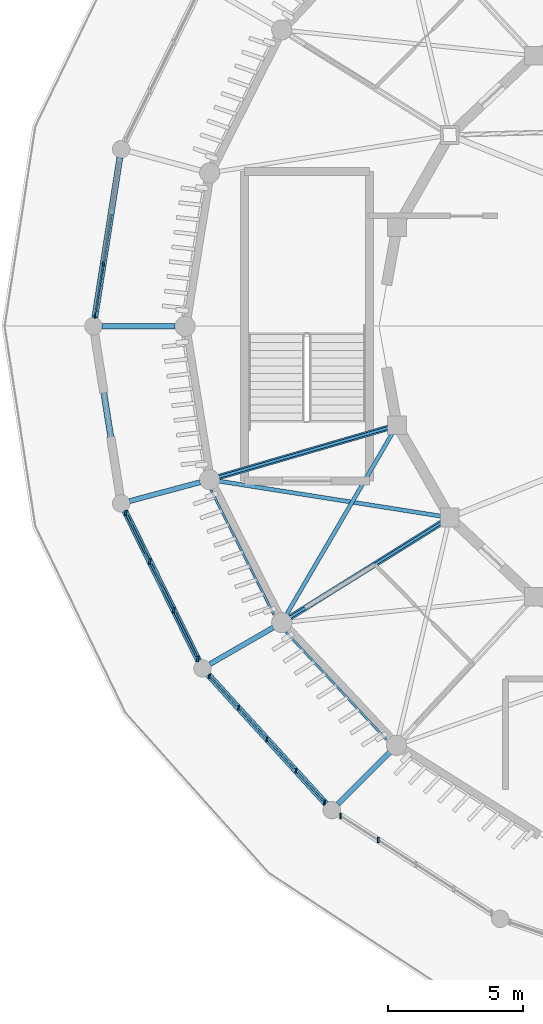
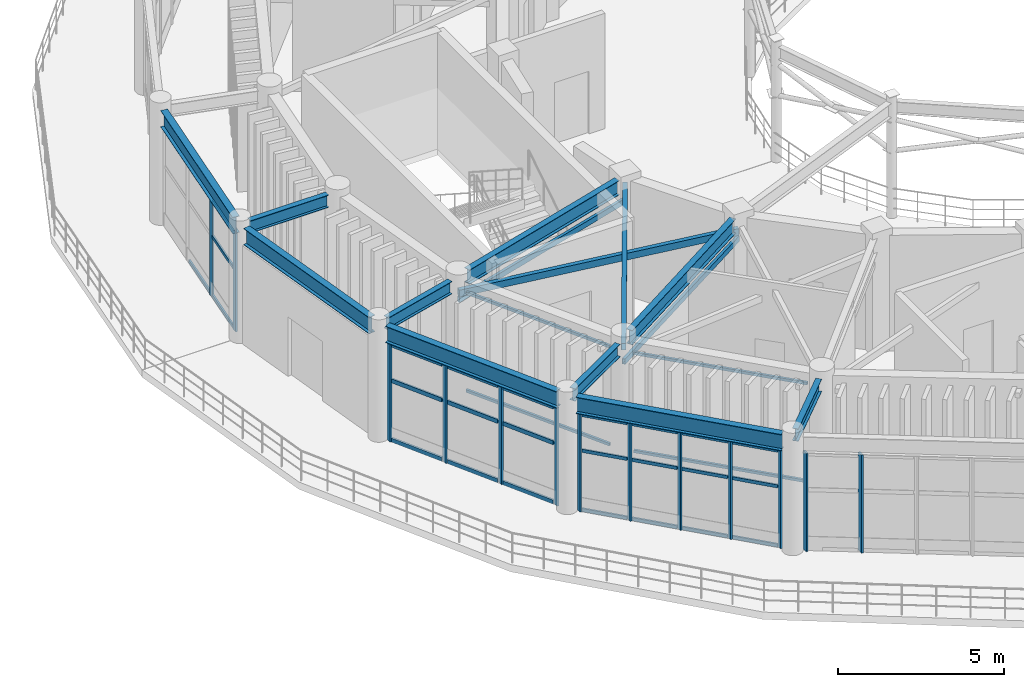
# One storey, part 6 of 45: 46 members, 10 beams, 4 elements without a shape of their own.
"""IFC4 building model written with IfcOpenShell, lengths in metres."""

from ifc_helpers import new_model, si_unit, direction, frame, origin, origin_2d, place, context, subcontext, project, spatial, rectangle, hollow_rectangle, i_section, extrude, material, material_profile, profile_set, type_object, element, aggregate, save


model = new_model("IFC4")

# Units and contexts
model_context = context("Model", 3, precision=1e-05, world=origin(), true_north=direction((0.0, 1.0)))
body_context = subcontext(model_context, "Body", "Model", "MODEL_VIEW")
ifc_project = project(units=[si_unit("LENGTHUNIT", "METRE"), si_unit("AREAUNIT", "SQUARE_METRE"), si_unit("VOLUMEUNIT", "CUBIC_METRE"), si_unit("PLANEANGLEUNIT", "RADIAN"), si_unit("MASSUNIT", "GRAM", prefix="KILO")], contexts=[model_context])

# Site, building, storey
site_placement = place(None, origin())
site = spatial("IfcSite", under=ifc_project, at=site_placement, CompositionType="ELEMENT")
building_placement = place(site_placement, origin())
building = spatial("IfcBuilding", under=site, at=building_placement, Name="Cinderbank Siding Concert Hall", CompositionType="ELEMENT")
storey_placement = place(building_placement, frame((0.0, 0.0, 19.199951171875)))
storey = spatial("IfcBuildingStorey", under=building, at=storey_placement, Name="L05", CompositionType="ELEMENT", Elevation=19.199951171875)

# Beams
ifc_material_1 = material(Name="Structural steel AS/NZS 3679.1 Grade 350 (340 MPa)", Category="steel")
ifc_material_profile_1 = material_profile(ifc_material_1, i_section(OverallWidth=0.19091796875, OverallDepth=0.46044921875, WebThickness=0.010009765625, FlangeThickness=0.01611328125, at=origin_2d()), Name="460UB82.1", Category="LoadBearing")
ifc_profile_set_1 = profile_set([ifc_material_profile_1], Name="Structural steel AS/NZS 3679.1 Grade 350 (340 MPa)")
beam_type_1 = type_object("IfcBeamType", Name="BM-UB460H 460UB82.1", PredefinedType="BEAM", material=ifc_profile_set_1)
for number, where, z_axis, x_axis, name in (
    (1, (94.8330078125, 44.0, 4.001953125), (-1.0, 0.0, 0.0), (0.0, -1.0, 0.0), "L05 Beam BM-UB460H #806"),
    (2, (95.7587890625, 38.2109375, 4.001953125), (-0.965934410535, -0.258787006135, 0.0), (0.258787006135, -0.965934410535, 0.0), "L05 Beam BM-UB460H #807"),
):
    element("IfcBeam", number, at=place(storey_placement, frame(where, z_axis=z_axis, x_axis=x_axis)), inside=storey, type_object=beam_type_1, Name=name, PredefinedType="BEAM", context=body_context, shape_type="SweptSolid", body=[
        extrude(i_section(OverallWidth=0.19091796875, OverallDepth=0.46044921875, WebThickness=0.010009765625, FlangeThickness=0.01611328125, at=origin_2d()), origin(), (0.0, 0.0, 1.0), 2.716064453125),
    ])
beam_1_placement = place(storey_placement, frame((98.47265625, 32.81640625, 4.001953125), z_axis=(-0.866032896488, -0.499987022033, 0.0), x_axis=(0.499987022033, -0.866032896488, 0.0)))
element("IfcBeam", 3, at=beam_1_placement, inside=storey, type_object=beam_type_1, Name="L05 Beam BM-UB460H #808", PredefinedType="BEAM", context=body_context, shape_type="SweptSolid", body=[
    extrude(i_section(OverallWidth=0.19091796875, OverallDepth=0.46044921875, WebThickness=0.010009765625, FlangeThickness=0.01611328125, at=origin_2d()), origin(), (0.0, 0.0, 1.0), 2.7158203125),
])
beam_2_placement = place(storey_placement, frame((102.7900390625, 28.18408203125, 4.001953125), z_axis=(-0.707151723938, -0.707061835578, 0.0), x_axis=(0.707061835578, -0.707151723938, 0.0)))
element("IfcBeam", 4, at=beam_2_placement, inside=storey, type_object=beam_type_1, Name="L05 Beam BM-UB460H #809", PredefinedType="BEAM", context=body_context, shape_type="SweptSolid", body=[
    extrude(i_section(OverallWidth=0.19091796875, OverallDepth=0.46044921875, WebThickness=0.010009765625, FlangeThickness=0.01611328125, at=origin_2d()), origin(), (0.0, 0.0, 1.0), 2.716064453125),
])
ifc_material_profile_2 = material_profile(ifc_material_1, i_section(OverallWidth=0.208984375, OverallDepth=0.532958984375, WebThickness=0.01025390625, FlangeThickness=0.015625, at=origin_2d()), Name="530UB92.4", Category="LoadBearing")
ifc_profile_set_2 = profile_set([ifc_material_profile_2], Name="Structural steel AS/NZS 3679.1 Grade 350 (340 MPa)")
beam_type_2 = type_object("IfcBeamType", Name="BM-UB530H 530UB92.4", PredefinedType="BEAM", material=ifc_profile_set_2)
beam_3_placement = place(storey_placement, frame((102.739501953125, 40.2294921875, 4.015625), z_axis=(-0.960350422934, -0.278795740946, 0.0), x_axis=(0.278795740946, -0.960350422934, 0.0)))
element("IfcBeam", 5, at=beam_3_placement, inside=storey, type_object=beam_type_2, Name="L05 Beam BM-UB530H #787", PredefinedType="BEAM", context=body_context, shape_type="SweptSolid", body=[
    extrude(i_section(OverallWidth=0.208984375, OverallDepth=0.532958984375, WebThickness=0.01025390625, FlangeThickness=0.015625, at=origin_2d()), origin(), (0.0, 0.0, 1.0), 6.53271484375),
])
beam_4_placement = place(storey_placement, frame((104.73583984375, 36.718505859375, 4.015625), z_axis=(-0.84781868984, -0.530286214376, 0.0), x_axis=(0.530286214376, -0.84781868984, 0.0)))
element("IfcBeam", 6, at=beam_4_placement, inside=storey, type_object=beam_type_2, Name="L05 Beam BM-UB530H #788", PredefinedType="BEAM", context=body_context, shape_type="SweptSolid", body=[
    extrude(i_section(OverallWidth=0.208984375, OverallDepth=0.532958984375, WebThickness=0.01025390625, FlangeThickness=0.015625, at=origin_2d()), origin(), (0.0, 0.0, 1.0), 6.645263671875),
])
ifc_material_profile_3 = material_profile(ifc_material_1, i_section(OverallWidth=0.22802734375, OverallDepth=0.60693359375, WebThickness=0.01123046875, FlangeThickness=0.017333984375, at=origin_2d()), Name="610UB113", Category="LoadBearing")
ifc_profile_set_3 = profile_set([ifc_material_profile_3], Name="Structural steel AS/NZS 3679.1 Grade 350 (340 MPa)")
beam_type_3 = type_object("IfcBeamType", Name="BM-UB610M 610UB113", PredefinedType="BEAM", material=ifc_profile_set_3)
for number, where, z_axis, x_axis, name in (
    (7, (92.780029296875, 50.2607421875, 3.928466796875), (-0.154637914322, -0.987971211855, 0.0), (0.987971211855, -0.154637914322, 0.0), "L05 Beam BM-UB610M #770"),
    (8, (91.84912109375, 43.686767578125, 3.928466796875), (0.154637914322, -0.987971211855, 0.0), (0.987971211855, 0.154637914322, 0.0), "L05 Beam BM-UB610M #771"),
):
    element("IfcBeam", number, at=place(storey_placement, frame(where, z_axis=z_axis, x_axis=x_axis)), inside=storey, type_object=beam_type_3, Name=name, PredefinedType="BEAM", context=body_context, shape_type="SweptSolid", body=[
        extrude(i_section(OverallWidth=0.22802734375, OverallDepth=0.60693359375, WebThickness=0.01123046875, FlangeThickness=0.017333984375, at=origin_2d()), origin(), (0.0, 0.0, 1.0), 6.02001953125),
    ])
beam_5_placement = place(storey_placement, frame((92.968994140625, 37.1416015625, 3.928466796875), z_axis=(0.441813843649, -0.897106753714, 0.0), x_axis=(0.897106753714, 0.441813843649, 0.0)))
element("IfcBeam", 9, at=beam_5_placement, inside=storey, type_object=beam_type_3, Name="L05 Beam BM-UB610M #772", PredefinedType="BEAM", context=body_context, shape_type="SweptSolid", body=[
    extrude(i_section(OverallWidth=0.22802734375, OverallDepth=0.60693359375, WebThickness=0.01123046875, FlangeThickness=0.017333984375, at=origin_2d()), origin(), (0.0, 0.0, 1.0), 6.194580078125),
])
beam_6_placement = place(storey_placement, frame((96.059814453125, 31.06591796875, 3.928466796875), z_axis=(0.67395874418, -0.73876898361, 0.0), x_axis=(0.73876898361, 0.67395874418, 0.0)))
element("IfcBeam", 10, at=beam_6_placement, inside=storey, type_object=beam_type_3, Name="L05 Beam BM-UB610M #773", PredefinedType="BEAM", context=body_context, shape_type="SweptSolid", body=[
    extrude(i_section(OverallWidth=0.22802734375, OverallDepth=0.60693359375, WebThickness=0.01123046875, FlangeThickness=0.017333984375, at=origin_2d()), origin(), (0.0, 0.0, 1.0), 6.48681640625),
])

# Curtain wall, members
ifc_material_2 = material(Name="Anodised aluminium alloy 6063-T6", Category="aluminium")
curtain_wall_type_1 = type_object("IfcCurtainWallType", Name="CW-12 Unitised Acoustic Curtain Wall 5800x3500", PredefinedType="NOTDEFINED", material=ifc_material_2)
curtain_wall_1_placement = place(storey_placement, origin())
curtain_wall_1 = element("IfcCurtainWall", 11, at=curtain_wall_1_placement, inside=storey, type_object=curtain_wall_type_1, Name="L05 Curtain Wall CW-12 #82", PredefinedType="NOTDEFINED")
ifc_material_profile_4 = material_profile(ifc_material_2, rectangle(XDim=0.06005859375, YDim=0.159912109375, at=origin_2d()), Name="ALU-MULL-60x160", Category="LoadBearing")
ifc_profile_set_4 = profile_set([ifc_material_profile_4], Name="Anodised aluminium alloy 6063-T6")
member_type_1 = type_object("IfcMemberType", Name="CW-ML1 Mullion 60x160", PredefinedType="MULLION", material=ifc_profile_set_4)
member_1_placement = place(storey_placement, frame((92.1630859375, 46.31982421875, 0.0), z_axis=(0.0, 0.0, 1.0), x_axis=(1.0, 0.0, 0.0)))
member_1 = element("IfcMember", 12, at=member_1_placement, type_object=member_type_1, Name="CW-L05-082 Mullion 2", PredefinedType="MULLION", context=body_context, shape_type="SweptSolid", body=[
    extrude(rectangle(XDim=0.06005859375, YDim=0.159912109375, at=origin_2d()), origin(), (0.0, 0.0, 1.0), 3.610107421875),
])
member_2_placement = place(storey_placement, frame((91.8603515625, 44.38525390625, 0.0), z_axis=(0.0, 0.0, 1.0), x_axis=(1.0, 0.0, 0.0)))
member_2 = element("IfcMember", 13, at=member_2_placement, type_object=member_type_1, Name="CW-L05-082 Mullion 3", PredefinedType="MULLION", context=body_context, shape_type="SweptSolid", body=[
    extrude(rectangle(XDim=0.06005859375, YDim=0.159912109375, at=origin_2d()), origin(), (0.0, 0.0, 1.0), 3.610107421875),
])

curtain_wall_type_2 = type_object("IfcCurtainWallType", Name="CW-11 Unitised Acoustic Curtain Wall 6600x3500", PredefinedType="NOTDEFINED", material=ifc_material_2)
curtain_wall_2_placement = place(storey_placement, origin())
curtain_wall_2 = element("IfcCurtainWall", 14, at=curtain_wall_2_placement, inside=storey, type_object=curtain_wall_type_2, Name="L05 Curtain Wall CW-11 #84", PredefinedType="NOTDEFINED")
member_3_placement = place(storey_placement, frame((96.10888671875, 31.011962890625, 0.0), z_axis=(0.0, 0.0, 1.0), x_axis=(1.0, 0.0, 0.0)))
member_3 = element("IfcMember", 15, at=member_3_placement, type_object=member_type_1, Name="CW-L05-084 Mullion 0", PredefinedType="MULLION", context=body_context, shape_type="SweptSolid", body=[
    extrude(rectangle(XDim=0.06005859375, YDim=0.159912109375, at=origin_2d()), origin(), (0.0, 0.0, 1.0), 3.610107421875),
])
member_4_placement = place(storey_placement, frame((97.17724609375, 29.8408203125, 0.0), z_axis=(0.0, 0.0, 1.0), x_axis=(1.0, 0.0, 0.0)))
member_4 = element("IfcMember", 16, at=member_4_placement, type_object=member_type_1, Name="CW-L05-084 Mullion 1", PredefinedType="MULLION", context=body_context, shape_type="SweptSolid", body=[
    extrude(rectangle(XDim=0.06005859375, YDim=0.159912109375, at=origin_2d()), origin(), (0.0, 0.0, 1.0), 3.610107421875),
])
member_5_placement = place(storey_placement, frame((98.24560546875, 28.669921875, 0.0), z_axis=(0.0, 0.0, 1.0), x_axis=(1.0, 0.0, 0.0)))
member_5 = element("IfcMember", 17, at=member_5_placement, type_object=member_type_1, Name="CW-L05-084 Mullion 2", PredefinedType="MULLION", context=body_context, shape_type="SweptSolid", body=[
    extrude(rectangle(XDim=0.06005859375, YDim=0.159912109375, at=origin_2d()), origin(), (0.0, 0.0, 1.0), 3.610107421875),
])
member_6_placement = place(storey_placement, frame((99.314208984375, 27.498779296875, 0.0), z_axis=(0.0, 0.0, 1.0), x_axis=(1.0, 0.0, 0.0)))
member_6 = element("IfcMember", 18, at=member_6_placement, type_object=member_type_1, Name="CW-L05-084 Mullion 3", PredefinedType="MULLION", context=body_context, shape_type="SweptSolid", body=[
    extrude(rectangle(XDim=0.06005859375, YDim=0.159912109375, at=origin_2d()), origin(), (0.0, 0.0, 1.0), 3.610107421875),
])
member_7_placement = place(storey_placement, frame((100.382568359375, 26.32763671875, 0.0), z_axis=(0.0, 0.0, 1.0), x_axis=(1.0, 0.0, 0.0)))
member_7 = element("IfcMember", 19, at=member_7_placement, type_object=member_type_1, Name="CW-L05-084 Mullion 4", PredefinedType="MULLION", context=body_context, shape_type="SweptSolid", body=[
    extrude(rectangle(XDim=0.06005859375, YDim=0.159912109375, at=origin_2d()), origin(), (0.0, 0.0, 1.0), 3.610107421875),
])

curtain_wall_type_3 = type_object("IfcCurtainWallType", Name="CW-10 Unitised Acoustic Curtain Wall 7200x3500", PredefinedType="NOTDEFINED", material=ifc_material_2)
curtain_wall_3_placement = place(storey_placement, origin())
curtain_wall_3 = element("IfcCurtainWall", 20, at=curtain_wall_3_placement, inside=storey, type_object=curtain_wall_type_3, Name="L05 Curtain Wall CW-10 #83", PredefinedType="NOTDEFINED")
ifc_material_profile_5 = material_profile(ifc_material_2, rectangle(XDim=0.06494140625, YDim=0.199951171875, at=origin_2d()), Name="ALU-MULL-65x200", Category="LoadBearing")
ifc_profile_set_5 = profile_set([ifc_material_profile_5], Name="Anodised aluminium alloy 6063-T6")
member_type_2 = type_object("IfcMemberType", Name="CW-ML2 Mullion 65x200", PredefinedType="MULLION", material=ifc_profile_set_5)
member_8_placement = place(storey_placement, frame((93.001220703125, 37.076171875, 0.0), z_axis=(0.0, 0.0, 1.0), x_axis=(1.0, 0.0, 0.0)))
member_8 = element("IfcMember", 21, at=member_8_placement, type_object=member_type_2, Name="CW-L05-083 Mullion 0", PredefinedType="MULLION", context=body_context, shape_type="SweptSolid", body=[
    extrude(rectangle(XDim=0.06494140625, YDim=0.199951171875, at=origin_2d()), origin(), (0.0, 0.0, 1.0), 3.610107421875),
])
member_9_placement = place(storey_placement, frame((93.89208984375, 35.267333984375, 0.0), z_axis=(0.0, 0.0, 1.0), x_axis=(1.0, 0.0, 0.0)))
member_9 = element("IfcMember", 22, at=member_9_placement, type_object=member_type_2, Name="CW-L05-083 Mullion 1", PredefinedType="MULLION", context=body_context, shape_type="SweptSolid", body=[
    extrude(rectangle(XDim=0.06494140625, YDim=0.199951171875, at=origin_2d()), origin(), (0.0, 0.0, 1.0), 3.610107421875),
])
member_10_placement = place(storey_placement, frame((94.782958984375, 33.45849609375, 0.0), z_axis=(0.0, 0.0, 1.0), x_axis=(1.0, 0.0, 0.0)))
member_10 = element("IfcMember", 23, at=member_10_placement, type_object=member_type_2, Name="CW-L05-083 Mullion 2", PredefinedType="MULLION", context=body_context, shape_type="SweptSolid", body=[
    extrude(rectangle(XDim=0.06494140625, YDim=0.199951171875, at=origin_2d()), origin(), (0.0, 0.0, 1.0), 3.610107421875),
])
member_11_placement = place(storey_placement, frame((95.673583984375, 31.64990234375, 0.0), z_axis=(0.0, 0.0, 1.0), x_axis=(1.0, 0.0, 0.0)))
member_11 = element("IfcMember", 24, at=member_11_placement, type_object=member_type_2, Name="CW-L05-083 Mullion 3", PredefinedType="MULLION", context=body_context, shape_type="SweptSolid", body=[
    extrude(rectangle(XDim=0.06494140625, YDim=0.199951171875, at=origin_2d()), origin(), (0.0, 0.0, 1.0), 3.610107421875),
])

curtain_wall_4_placement = place(storey_placement, origin())
curtain_wall_4 = element("IfcCurtainWall", 25, at=curtain_wall_4_placement, inside=storey, type_object=curtain_wall_type_1, Name="L05 Curtain Wall CW-12 #85", PredefinedType="NOTDEFINED")
member_12_placement = place(storey_placement, frame((100.97314453125, 25.827880859375, 0.0), z_axis=(0.0, 0.0, 1.0), x_axis=(1.0, 0.0, 0.0)))
member_12 = element("IfcMember", 26, at=member_12_placement, type_object=member_type_2, Name="CW-L05-085 Mullion 0", PredefinedType="MULLION", context=body_context, shape_type="SweptSolid", body=[
    extrude(rectangle(XDim=0.06494140625, YDim=0.199951171875, at=origin_2d()), origin(), (0.0, 0.0, 1.0), 3.610107421875),
])
member_13_placement = place(storey_placement, frame((102.372802734375, 24.924560546875, 0.0), z_axis=(0.0, 0.0, 1.0), x_axis=(1.0, 0.0, 0.0)))
member_13 = element("IfcMember", 27, at=member_13_placement, type_object=member_type_2, Name="CW-L05-085 Mullion 1", PredefinedType="MULLION", context=body_context, shape_type="SweptSolid", body=[
    extrude(rectangle(XDim=0.06494140625, YDim=0.199951171875, at=origin_2d()), origin(), (0.0, 0.0, 1.0), 3.610107421875),
])
aggregate(curtain_wall_4, [member_12, member_13])

# Member
ifc_material_profile_6 = material_profile(ifc_material_2, rectangle(XDim=0.06005859375, YDim=0.1201171875, at=origin_2d()), Name="ALU-TRAN-60x120", Category="LoadBearing")
ifc_profile_set_6 = profile_set([ifc_material_profile_6], Name="Anodised aluminium alloy 6063-T6")
member_type_3 = type_object("IfcMemberType", Name="CW-TR1 Transom 60x120", PredefinedType="USERDEFINED", material=ifc_profile_set_6)
member_14_placement = place(storey_placement, frame((92.45068359375, 48.157470703125, 0.06005859375), z_axis=(-0.154617780003, -0.987974363082, 0.0), x_axis=(0.987974363082, -0.154617780003, 0.0)))
member_14 = element("IfcMember", 28, at=member_14_placement, type_object=member_type_3, Name="CW-L05-082 Transom 1-0", ObjectType="TRANSOM", PredefinedType="USERDEFINED", context=body_context, shape_type="SweptSolid", body=[
    extrude(rectangle(XDim=0.06005859375, YDim=0.1201171875, at=origin_2d()), origin(), (0.0, 0.0, 1.0), 1.76220703125),
])

member_15_placement = place(storey_placement, frame((92.14794921875, 46.222900390625, 0.06005859375), z_axis=(-0.154617780003, -0.987974363082, 0.0), x_axis=(0.987974363082, -0.154617780003, 0.0)))
member_15 = element("IfcMember", 29, at=member_15_placement, type_object=member_type_3, Name="CW-L05-082 Transom 2-0", ObjectType="TRANSOM", PredefinedType="USERDEFINED", context=body_context, shape_type="SweptSolid", body=[
    extrude(rectangle(XDim=0.06005859375, YDim=0.1201171875, at=origin_2d()), origin(), (0.0, 0.0, 1.0), 1.76220703125),
])

member_16_placement = place(storey_placement, frame((92.14794921875, 46.222900390625, 2.23828125), z_axis=(-0.154617780003, -0.987974363082, 0.0), x_axis=(0.987974363082, -0.154617780003, 0.0)))
member_16 = element("IfcMember", 30, at=member_16_placement, type_object=member_type_3, Name="CW-L05-082 Transom 2-1", ObjectType="TRANSOM", PredefinedType="USERDEFINED", context=body_context, shape_type="SweptSolid", body=[
    extrude(rectangle(XDim=0.06005859375, YDim=0.1201171875, at=origin_2d()), origin(), (0.0, 0.0, 1.0), 1.76220703125),
])

member_17_placement = place(storey_placement, frame((92.14794921875, 46.222900390625, 3.550048828125), z_axis=(-0.154617780003, -0.987974363082, 0.0), x_axis=(0.987974363082, -0.154617780003, 0.0)))
member_17 = element("IfcMember", 31, at=member_17_placement, type_object=member_type_3, Name="CW-L05-082 Transom 2-2", ObjectType="TRANSOM", PredefinedType="USERDEFINED", context=body_context, shape_type="SweptSolid", body=[
    extrude(rectangle(XDim=0.06005859375, YDim=0.1201171875, at=origin_2d()), origin(), (0.0, 0.0, 1.0), 1.76220703125),
])

aggregate(curtain_wall_1, [member_1, member_2, member_14, member_15, member_16, member_17])

member_18_placement = place(storey_placement, frame((96.162353515625, 30.953369140625, 0.06005859375), z_axis=(0.67393249173, -0.738792932147, 0.0), x_axis=(0.738792932147, 0.67393249173, 0.0)))
member_18 = element("IfcMember", 32, at=member_18_placement, type_object=member_type_3, Name="CW-L05-084 Transom 0-0", ObjectType="TRANSOM", PredefinedType="USERDEFINED", context=body_context, shape_type="SweptSolid", body=[
    extrude(rectangle(XDim=0.06005859375, YDim=0.1201171875, at=origin_2d()), origin(), (0.0, 0.0, 1.0), 1.426513671875),
])

member_19_placement = place(storey_placement, frame((96.162353515625, 30.953369140625, 2.23828125), z_axis=(0.67393249173, -0.738792932147, 0.0), x_axis=(0.738792932147, 0.67393249173, 0.0)))
member_19 = element("IfcMember", 33, at=member_19_placement, type_object=member_type_3, Name="CW-L05-084 Transom 0-1", ObjectType="TRANSOM", PredefinedType="USERDEFINED", context=body_context, shape_type="SweptSolid", body=[
    extrude(rectangle(XDim=0.06005859375, YDim=0.1201171875, at=origin_2d()), origin(), (0.0, 0.0, 1.0), 1.426513671875),
])

member_20_placement = place(storey_placement, frame((96.162353515625, 30.953369140625, 3.550048828125), z_axis=(0.67393249173, -0.738792932147, 0.0), x_axis=(0.738792932147, 0.67393249173, 0.0)))
member_20 = element("IfcMember", 34, at=member_20_placement, type_object=member_type_3, Name="CW-L05-084 Transom 0-2", ObjectType="TRANSOM", PredefinedType="USERDEFINED", context=body_context, shape_type="SweptSolid", body=[
    extrude(rectangle(XDim=0.06005859375, YDim=0.1201171875, at=origin_2d()), origin(), (0.0, 0.0, 1.0), 1.426513671875),
])

member_21_placement = place(storey_placement, frame((97.230712890625, 29.7822265625, 0.06005859375), z_axis=(0.674025884018, -0.738707728181, 0.0), x_axis=(0.738707728181, 0.674025884018, 0.0)))
member_21 = element("IfcMember", 35, at=member_21_placement, type_object=member_type_3, Name="CW-L05-084 Transom 1-0", ObjectType="TRANSOM", PredefinedType="USERDEFINED", context=body_context, shape_type="SweptSolid", body=[
    extrude(rectangle(XDim=0.06005859375, YDim=0.1201171875, at=origin_2d()), origin(), (0.0, 0.0, 1.0), 1.4267578125),
])

member_22_placement = place(storey_placement, frame((97.230712890625, 29.7822265625, 2.23828125), z_axis=(0.674025884018, -0.738707728181, 0.0), x_axis=(0.738707728181, 0.674025884018, 0.0)))
member_22 = element("IfcMember", 36, at=member_22_placement, type_object=member_type_3, Name="CW-L05-084 Transom 1-1", ObjectType="TRANSOM", PredefinedType="USERDEFINED", context=body_context, shape_type="SweptSolid", body=[
    extrude(rectangle(XDim=0.06005859375, YDim=0.1201171875, at=origin_2d()), origin(), (0.0, 0.0, 1.0), 1.4267578125),
])

member_23_placement = place(storey_placement, frame((97.230712890625, 29.7822265625, 3.550048828125), z_axis=(0.674025884018, -0.738707728181, 0.0), x_axis=(0.738707728181, 0.674025884018, 0.0)))
member_23 = element("IfcMember", 37, at=member_23_placement, type_object=member_type_3, Name="CW-L05-084 Transom 1-2", ObjectType="TRANSOM", PredefinedType="USERDEFINED", context=body_context, shape_type="SweptSolid", body=[
    extrude(rectangle(XDim=0.06005859375, YDim=0.1201171875, at=origin_2d()), origin(), (0.0, 0.0, 1.0), 1.4267578125),
])

member_24_placement = place(storey_placement, frame((98.299072265625, 28.611083984375, 0.06005859375), z_axis=(0.674025884018, -0.738707728181, 0.0), x_axis=(0.738707728181, 0.674025884018, 0.0)))
member_24 = element("IfcMember", 38, at=member_24_placement, type_object=member_type_3, Name="CW-L05-084 Transom 2-0", ObjectType="TRANSOM", PredefinedType="USERDEFINED", context=body_context, shape_type="SweptSolid", body=[
    extrude(rectangle(XDim=0.06005859375, YDim=0.1201171875, at=origin_2d()), origin(), (0.0, 0.0, 1.0), 1.4267578125),
])

member_25_placement = place(storey_placement, frame((98.299072265625, 28.611083984375, 2.23828125), z_axis=(0.674025884018, -0.738707728181, 0.0), x_axis=(0.738707728181, 0.674025884018, 0.0)))
member_25 = element("IfcMember", 39, at=member_25_placement, type_object=member_type_3, Name="CW-L05-084 Transom 2-1", ObjectType="TRANSOM", PredefinedType="USERDEFINED", context=body_context, shape_type="SweptSolid", body=[
    extrude(rectangle(XDim=0.06005859375, YDim=0.1201171875, at=origin_2d()), origin(), (0.0, 0.0, 1.0), 1.4267578125),
])

member_26_placement = place(storey_placement, frame((98.299072265625, 28.611083984375, 3.550048828125), z_axis=(0.674025884018, -0.738707728181, 0.0), x_axis=(0.738707728181, 0.674025884018, 0.0)))
member_26 = element("IfcMember", 40, at=member_26_placement, type_object=member_type_3, Name="CW-L05-084 Transom 2-2", ObjectType="TRANSOM", PredefinedType="USERDEFINED", context=body_context, shape_type="SweptSolid", body=[
    extrude(rectangle(XDim=0.06005859375, YDim=0.1201171875, at=origin_2d()), origin(), (0.0, 0.0, 1.0), 1.4267578125),
])

member_27_placement = place(storey_placement, frame((99.367431640625, 27.440185546875, 0.06005859375), z_axis=(0.674025884018, -0.738707728181, 0.0), x_axis=(0.738707728181, 0.674025884018, 0.0)))
member_27 = element("IfcMember", 41, at=member_27_placement, type_object=member_type_3, Name="CW-L05-084 Transom 3-0", ObjectType="TRANSOM", PredefinedType="USERDEFINED", context=body_context, shape_type="SweptSolid", body=[
    extrude(rectangle(XDim=0.06005859375, YDim=0.1201171875, at=origin_2d()), origin(), (0.0, 0.0, 1.0), 1.4267578125),
])

member_28_placement = place(storey_placement, frame((99.367431640625, 27.440185546875, 2.23828125), z_axis=(0.674025884018, -0.738707728181, 0.0), x_axis=(0.738707728181, 0.674025884018, 0.0)))
member_28 = element("IfcMember", 42, at=member_28_placement, type_object=member_type_3, Name="CW-L05-084 Transom 3-1", ObjectType="TRANSOM", PredefinedType="USERDEFINED", context=body_context, shape_type="SweptSolid", body=[
    extrude(rectangle(XDim=0.06005859375, YDim=0.1201171875, at=origin_2d()), origin(), (0.0, 0.0, 1.0), 1.4267578125),
])

member_29_placement = place(storey_placement, frame((99.367431640625, 27.440185546875, 3.550048828125), z_axis=(0.674025884018, -0.738707728181, 0.0), x_axis=(0.738707728181, 0.674025884018, 0.0)))
member_29 = element("IfcMember", 43, at=member_29_placement, type_object=member_type_3, Name="CW-L05-084 Transom 3-2", ObjectType="TRANSOM", PredefinedType="USERDEFINED", context=body_context, shape_type="SweptSolid", body=[
    extrude(rectangle(XDim=0.06005859375, YDim=0.1201171875, at=origin_2d()), origin(), (0.0, 0.0, 1.0), 1.4267578125),
])

aggregate(curtain_wall_2, [member_3, member_4, member_5, member_6, member_7, member_18, member_19, member_20, member_21, member_22, member_23, member_24, member_25, member_26, member_27, member_28, member_29])

ifc_material_profile_7 = material_profile(ifc_material_2, rectangle(XDim=0.06494140625, YDim=0.14990234375, at=origin_2d()), Name="ALU-TRAN-65x150", Category="LoadBearing")
ifc_profile_set_7 = profile_set([ifc_material_profile_7], Name="Anodised aluminium alloy 6063-T6")
member_type_4 = type_object("IfcMemberType", Name="CW-TR2 Transom 65x150", PredefinedType="USERDEFINED", material=ifc_profile_set_7)
member_30_placement = place(storey_placement, frame((93.0458984375, 36.985595703125, 0.06005859375), z_axis=(0.441877297725, -0.897075500588, 0.0), x_axis=(0.897075500588, 0.441877297725, 0.0)))
member_30 = element("IfcMember", 44, at=member_30_placement, type_object=member_type_4, Name="CW-L05-083 Transom 0-0", ObjectType="TRANSOM", PredefinedType="USERDEFINED", context=body_context, shape_type="SweptSolid", body=[
    extrude(rectangle(XDim=0.06494140625, YDim=0.14990234375, at=origin_2d()), origin(), (0.0, 0.0, 1.0), 1.814453125),
])

member_31_placement = place(storey_placement, frame((93.0458984375, 36.985595703125, 2.23828125), z_axis=(0.441877297725, -0.897075500588, 0.0), x_axis=(0.897075500588, 0.441877297725, 0.0)))
member_31 = element("IfcMember", 45, at=member_31_placement, type_object=member_type_4, Name="CW-L05-083 Transom 0-1", ObjectType="TRANSOM", PredefinedType="USERDEFINED", context=body_context, shape_type="SweptSolid", body=[
    extrude(rectangle(XDim=0.06494140625, YDim=0.14990234375, at=origin_2d()), origin(), (0.0, 0.0, 1.0), 1.814453125),
])

member_32_placement = place(storey_placement, frame((93.0458984375, 36.985595703125, 3.550048828125), z_axis=(0.441877297725, -0.897075500588, 0.0), x_axis=(0.897075500588, 0.441877297725, 0.0)))
member_32 = element("IfcMember", 46, at=member_32_placement, type_object=member_type_4, Name="CW-L05-083 Transom 0-2", ObjectType="TRANSOM", PredefinedType="USERDEFINED", context=body_context, shape_type="SweptSolid", body=[
    extrude(rectangle(XDim=0.06494140625, YDim=0.14990234375, at=origin_2d()), origin(), (0.0, 0.0, 1.0), 1.814453125),
])

member_33_placement = place(storey_placement, frame((93.9365234375, 35.177001953125, 0.06005859375), z_axis=(0.441823966303, -0.897101768363, 0.0), x_axis=(0.897101768363, 0.441823966303, 0.0)))
member_33 = element("IfcMember", 47, at=member_33_placement, type_object=member_type_4, Name="CW-L05-083 Transom 1-0", ObjectType="TRANSOM", PredefinedType="USERDEFINED", context=body_context, shape_type="SweptSolid", body=[
    extrude(rectangle(XDim=0.06494140625, YDim=0.14990234375, at=origin_2d()), origin(), (0.0, 0.0, 1.0), 1.814697265625),
])

member_34_placement = place(storey_placement, frame((93.9365234375, 35.177001953125, 2.23828125), z_axis=(0.441823966303, -0.897101768363, 0.0), x_axis=(0.897101768363, 0.441823966303, 0.0)))
member_34 = element("IfcMember", 48, at=member_34_placement, type_object=member_type_4, Name="CW-L05-083 Transom 1-1", ObjectType="TRANSOM", PredefinedType="USERDEFINED", context=body_context, shape_type="SweptSolid", body=[
    extrude(rectangle(XDim=0.06494140625, YDim=0.14990234375, at=origin_2d()), origin(), (0.0, 0.0, 1.0), 1.814697265625),
])

member_35_placement = place(storey_placement, frame((93.9365234375, 35.177001953125, 3.550048828125), z_axis=(0.441823966303, -0.897101768363, 0.0), x_axis=(0.897101768363, 0.441823966303, 0.0)))
member_35 = element("IfcMember", 49, at=member_35_placement, type_object=member_type_4, Name="CW-L05-083 Transom 1-2", ObjectType="TRANSOM", PredefinedType="USERDEFINED", context=body_context, shape_type="SweptSolid", body=[
    extrude(rectangle(XDim=0.06494140625, YDim=0.14990234375, at=origin_2d()), origin(), (0.0, 0.0, 1.0), 1.814697265625),
])

member_36_placement = place(storey_placement, frame((94.827392578125, 33.3681640625, 0.06005859375), z_axis=(0.441823966303, -0.897101768363, 0.0), x_axis=(0.897101768363, 0.441823966303, 0.0)))
member_36 = element("IfcMember", 50, at=member_36_placement, type_object=member_type_4, Name="CW-L05-083 Transom 2-0", ObjectType="TRANSOM", PredefinedType="USERDEFINED", context=body_context, shape_type="SweptSolid", body=[
    extrude(rectangle(XDim=0.06494140625, YDim=0.14990234375, at=origin_2d()), origin(), (0.0, 0.0, 1.0), 1.814697265625),
])

member_37_placement = place(storey_placement, frame((94.827392578125, 33.3681640625, 2.23828125), z_axis=(0.441823966303, -0.897101768363, 0.0), x_axis=(0.897101768363, 0.441823966303, 0.0)))
member_37 = element("IfcMember", 51, at=member_37_placement, type_object=member_type_4, Name="CW-L05-083 Transom 2-1", ObjectType="TRANSOM", PredefinedType="USERDEFINED", context=body_context, shape_type="SweptSolid", body=[
    extrude(rectangle(XDim=0.06494140625, YDim=0.14990234375, at=origin_2d()), origin(), (0.0, 0.0, 1.0), 1.814697265625),
])

member_38_placement = place(storey_placement, frame((94.827392578125, 33.3681640625, 3.550048828125), z_axis=(0.441823966303, -0.897101768363, 0.0), x_axis=(0.897101768363, 0.441823966303, 0.0)))
member_38 = element("IfcMember", 52, at=member_38_placement, type_object=member_type_4, Name="CW-L05-083 Transom 2-2", ObjectType="TRANSOM", PredefinedType="USERDEFINED", context=body_context, shape_type="SweptSolid", body=[
    extrude(rectangle(XDim=0.06494140625, YDim=0.14990234375, at=origin_2d()), origin(), (0.0, 0.0, 1.0), 1.814697265625),
])

aggregate(curtain_wall_3, [member_8, member_9, member_10, member_11, member_30, member_31, member_32, member_33, member_34, member_35, member_36, member_37, member_38])

# Members
ifc_material_profile_8 = material_profile(ifc_material_2, rectangle(XDim=0.080078125, YDim=0.10009765625, at=origin_2d()), Name="ALU-RAIL-80x100", Category="LoadBearing")
ifc_profile_set_8 = profile_set([ifc_material_profile_8], Name="Anodised aluminium alloy 6063-T6")
member_type_5 = type_object("IfcMemberType", Name="LV-RL1 Carrier Rail 80x100", PredefinedType="STUD", material=ifc_profile_set_8)
for number, where, z_axis, x_axis, name in (
    (53, (96.165771484375, 37.916015625, 0.219970703125), (0.450482714116, -0.892785150124, 0.0), (0.892785150124, 0.450482714116, 0.0), "L05 Louvre Carrier Rail 14 BOT"),
    (54, (96.165771484375, 37.916015625, 3.820068359375), (0.450482714116, -0.892785150124, 0.0), (0.892785150124, 0.450482714116, 0.0), "L05 Louvre Carrier Rail 14 TOP"),
):
    element("IfcMember", number, at=place(storey_placement, frame(where, z_axis=z_axis, x_axis=x_axis)), inside=storey, type_object=member_type_5, Name=name, PredefinedType="STUD", context=body_context, shape_type="SweptSolid", body=[
        extrude(rectangle(XDim=0.080078125, YDim=0.10009765625, at=origin_2d()), origin(), (0.0, 0.0, 1.0), 5.1630859375),
    ])
for number, where, z_axis, x_axis, name in (
    (55, (98.94677734375, 32.645751953125, 0.219970703125), (0.682858444422, -0.730550713422, 0.0), (0.730550713422, 0.682858444422, 0.0), "L05 Louvre Carrier Rail 15 BOT"),
    (56, (98.94677734375, 32.645751953125, 3.820068359375), (0.682858444422, -0.730550713422, 0.0), (0.730550713422, 0.682858444422, 0.0), "L05 Louvre Carrier Rail 15 TOP"),
):
    element("IfcMember", number, at=place(storey_placement, frame(where, z_axis=z_axis, x_axis=x_axis)), inside=storey, type_object=member_type_5, Name=name, PredefinedType="STUD", context=body_context, shape_type="SweptSolid", body=[
        extrude(rectangle(XDim=0.080078125, YDim=0.10009765625, at=origin_2d()), origin(), (0.0, 0.0, 1.0), 5.45703125),
    ])
ifc_material_3 = material(Name="Structural steel hollow section AS/NZS 1163 Grade C350L0 (350 MPa)", Category="steel")
ifc_material_profile_9 = material_profile(ifc_material_3, hollow_rectangle(XDim=0.10009765625, YDim=0.199951171875, WallThickness=0.008056640625, at=origin_2d()), Name="200x100x8.0RHS", Category="LoadBearing")
ifc_profile_set_9 = profile_set([ifc_material_profile_9], Name="Structural steel hollow section AS/NZS 1163 Grade C350L0 (350 MPa)")
member_type_6 = type_object("IfcMemberType", Name="PR-RHS200 200x100x8.0RHS Roof Truss", PredefinedType="PURLIN", material=ifc_profile_set_9)
member_39_placement = place(storey_placement, frame((103.06787109375, 40.32470703125, 3.340087890625), z_axis=(-0.960356417746, -0.278775090161, 0.0), x_axis=(0.278775090161, -0.960356417746, 0.0)))
element("IfcMember", 57, at=member_39_placement, inside=storey, type_object=member_type_6, Name="L05 Roof Truss Member PR-RHS200 #2313", PredefinedType="PURLIN", context=body_context, shape_type="SweptSolid", body=[
    extrude(hollow_rectangle(XDim=0.10009765625, YDim=0.199951171875, WallThickness=0.008056640625, at=origin_2d()), origin(), (0.0, 0.0, 1.0), 7.24169921875),
])
member_40_placement = place(storey_placement, frame((105.02587890625, 36.89990234375, 3.340087890625), z_axis=(-0.847826684568, -0.530273432235, 0.0), x_axis=(0.530273432235, -0.847826684568, 0.0)))
element("IfcMember", 58, at=member_40_placement, inside=storey, type_object=member_type_6, Name="L05 Roof Truss Member PR-RHS200 #2316", PredefinedType="PURLIN", context=body_context, shape_type="SweptSolid", body=[
    extrude(hollow_rectangle(XDim=0.10009765625, YDim=0.199951171875, WallThickness=0.008056640625, at=origin_2d()), origin(), (0.0, 0.0, 1.0), 7.3544921875),
])
ifc_material_profile_10 = material_profile(ifc_material_3, hollow_rectangle(XDim=0.14990234375, YDim=0.25, WallThickness=0.009033203125, at=origin_2d()), Name="250x150x9.0RHS", Category="LoadBearing")
ifc_profile_set_10 = profile_set([ifc_material_profile_10], Name="Structural steel hollow section AS/NZS 1163 Grade C350L0 (350 MPa)")
member_type_7 = type_object("IfcMemberType", Name="TR-RHS250 250x150x9.0RHS Roof Truss", PredefinedType="RAFTER", material=ifc_profile_set_10)
member_41_placement = place(storey_placement, frame((103.06787109375, 40.32470703125, 3.880126953125), z_axis=(-0.50427542144, -0.863542876372, 0.0), x_axis=(0.863542876372, -0.50427542144, 0.0)))
element("IfcMember", 59, at=member_41_placement, inside=storey, type_object=member_type_7, Name="L05 Roof Truss Member TR-RHS250 #2311", PredefinedType="RAFTER", context=body_context, shape_type="SweptSolid", body=[
    extrude(hollow_rectangle(XDim=0.14990234375, YDim=0.25, WallThickness=0.009033203125, at=origin_2d()), origin(), (0.0, 0.0, 1.0), 8.482177734375),
])
member_42_placement = place(storey_placement, frame((105.02587890625, 36.89990234375, 3.60009765625), z_axis=(-0.987784236991, 0.155827793262, 0.0), x_axis=(-0.155827793262, -0.987784236991, 0.0)))
element("IfcMember", 60, at=member_42_placement, inside=storey, type_object=member_type_7, Name="L05 Roof Truss Member TR-RHS250 #2312", PredefinedType="RAFTER", context=body_context, shape_type="SweptSolid", body=[
    extrude(hollow_rectangle(XDim=0.14990234375, YDim=0.25, WallThickness=0.009033203125, at=origin_2d()), origin(), (0.0, 0.0, 1.0), 9.022705078125),
])

save(model, "model.ifc")
